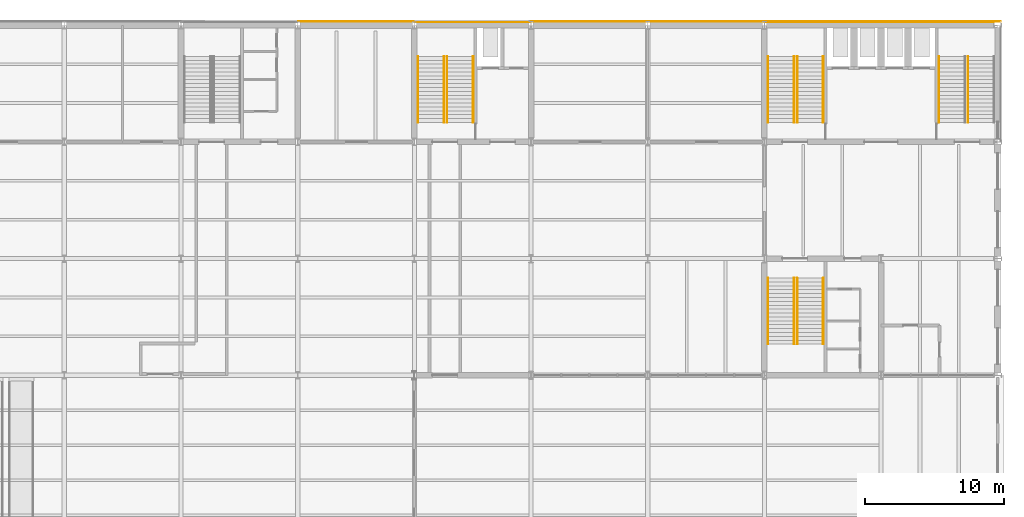
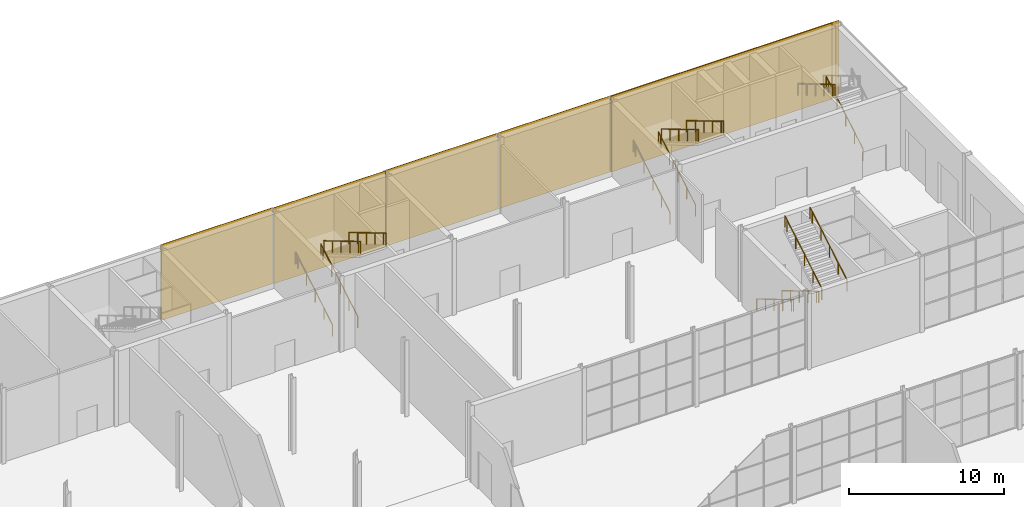
# One storey, part 53 of 55: 14 railings, 6 coverings.
"""IFC4 building model written with IfcOpenShell, lengths in metres."""

from ifc_helpers import new_model, si_unit, direction, frame, origin, origin_2d, place, context, subcontext, project, spatial, rectangle, circle, extrude, material, layer, layer_set, type_object, element, save


model = new_model("IFC4")

# Units and contexts
model_context = context("Model", 3, precision=1e-05, world=origin(), true_north=direction((0.0, 1.0)))
body_context = subcontext(model_context, "Body", "Model", "MODEL_VIEW")
ifc_project = project(units=[si_unit("LENGTHUNIT", "METRE"), si_unit("AREAUNIT", "SQUARE_METRE"), si_unit("VOLUMEUNIT", "CUBIC_METRE"), si_unit("PLANEANGLEUNIT", "RADIAN"), si_unit("MASSUNIT", "GRAM", prefix="KILO")], contexts=[model_context])

# Site, building, storey
site_placement = place(None, origin())
site = spatial("IfcSite", under=ifc_project, at=site_placement, CompositionType="ELEMENT")
building_placement = place(site_placement, origin())
building = spatial("IfcBuilding", under=site, at=building_placement, Name="Galleria Vessillo Department Store", CompositionType="ELEMENT")
storey_placement = place(building_placement, origin())
storey = spatial("IfcBuildingStorey", under=building, at=storey_placement, Name="L00", CompositionType="ELEMENT", Elevation=0.0)

# Coverings
ifc_material_1 = material(Name="Lime plaster (intonaco) ochre")
ifc_layer = layer(ifc_material_1, 0.030029296875)
ifc_layer_set = layer_set([ifc_layer], Name="Lime plaster (intonaco) ochre")
covering_type = type_object("IfcCoveringType", Name="Lime plaster render 30 mm", PredefinedType="CLADDING", material=ifc_layer_set)
covering_1_placement = place(storey_placement, frame((71.39990234375, 63.264892578125, 0.0), z_axis=(0.0, 0.0, 1.0), x_axis=(1.0, 0.0, 0.0)))
element("IfcCovering", 1, at=covering_1_placement, inside=storey, type_object=covering_type, Name="Wall cladding S-PN-L00-06", PredefinedType="CLADDING", context=body_context, shape_type="SweptSolid", body=[
    extrude(rectangle(XDim=8.34033203125, YDim=0.030029296875, at=origin_2d()), origin(), (0.0, 0.0, 1.0), 6.0),
])
covering_2_placement = place(storey_placement, frame((79.798583984375, 63.215087890625, 0.0), z_axis=(0.0, 0.0, 1.0), x_axis=(1.0, 0.0, 0.0)))
element("IfcCovering", 2, at=covering_2_placement, inside=storey, type_object=covering_type, Name="Wall cladding S-CW-PC-NE-PARTY-L00", PredefinedType="CLADDING", context=body_context, shape_type="SweptSolid", body=[
    extrude(rectangle(XDim=8.3369140625, YDim=0.030029296875, at=origin_2d()), origin(), (0.0, 0.0, 1.0), 6.0),
])
covering_3_placement = place(storey_placement, frame((88.199951171875, 63.264892578125, 0.0), z_axis=(0.0, 0.0, 1.0), x_axis=(1.0, 0.0, 0.0)))
element("IfcCovering", 3, at=covering_3_placement, inside=storey, type_object=covering_type, Name="Wall cladding S-PN-L00-07", PredefinedType="CLADDING", context=body_context, shape_type="SweptSolid", body=[
    extrude(rectangle(XDim=8.333740234375, YDim=0.030029296875, at=origin_2d()), origin(), (0.0, 0.0, 1.0), 6.0),
])
covering_4_placement = place(storey_placement, frame((96.60009765625, 63.264892578125, 0.0), z_axis=(0.0, 0.0, 1.0), x_axis=(1.0, 0.0, 0.0)))
element("IfcCovering", 4, at=covering_4_placement, inside=storey, type_object=covering_type, Name="Wall cladding S-PN-L00-08", PredefinedType="CLADDING", context=body_context, shape_type="SweptSolid", body=[
    extrude(rectangle(XDim=8.333984375, YDim=0.030029296875, at=origin_2d()), origin(), (0.0, 0.0, 1.0), 6.0),
])
covering_5_placement = place(storey_placement, frame((109.073486328125, 63.215087890625, 0.0), z_axis=(0.0, 0.0, 1.0), x_axis=(1.0, 0.0, 0.0)))
element("IfcCovering", 5, at=covering_5_placement, inside=storey, type_object=covering_type, Name="Wall cladding S-CW-TC-PARTY-L00", PredefinedType="CLADDING", context=body_context, shape_type="SweptSolid", body=[
    extrude(rectangle(XDim=16.48095703125, YDim=0.030029296875, at=origin_2d()), origin(), (0.0, 0.0, 1.0), 6.0),
])
covering_6_placement = place(storey_placement, frame((109.298583984375, 63.264892578125, 0.0), z_axis=(0.0, 0.0, 1.0), x_axis=(1.0, 0.0, 0.0)))
element("IfcCovering", 6, at=covering_6_placement, inside=storey, type_object=covering_type, Name="Corner cladding L00 y=63 south/north face", PredefinedType="CLADDING", context=body_context, shape_type="SweptSolid", body=[
    extrude(rectangle(XDim=17.06298828125, YDim=0.030029296875, at=origin_2d()), origin(), (0.0, 0.0, 1.0), 6.0),
])

# Railings
ifc_material_2 = material(Name="Stainless steel tube", Category="steel")
railing_type = type_object("IfcRailingType", Name="Stair handrail steel tube 48 mm", PredefinedType="HANDRAIL", material=ifc_material_2)
railing_1_placement = place(storey_placement, frame((75.860107421875, 56.0, 0.166748046875)))
element("IfcRailing", 7, at=railing_1_placement, inside=storey, type_object=railing_type, Name="Handrail ST6 L00 flight 1A", PredefinedType="HANDRAIL", context=body_context, shape_type="SweptSolid", body=[
    extrude(circle(Radius=0.02392578125, at=origin_2d()), frame((0.0, 0.0, 0.89599609375), z_axis=(0.0, 0.859371278866, 0.511352134112), x_axis=(-1.0, 0.0, 0.0)), (0.0, 0.0, 1.0), 1.303466796875),
    extrude(circle(Radius=0.02392578125, at=origin_2d()), frame((0.0, 1.1201171875, 1.5625), z_axis=(0.0, 0.859239953289, 0.511572773584), x_axis=(-1.0, 0.0, 0.0)), (0.0, 0.0, 1.0), 1.30322265625),
    extrude(circle(Radius=0.02392578125, at=origin_2d()), frame((0.0, 2.239990234375, 2.22900390625), z_axis=(0.0, 0.859288964532, 0.511490445104), x_axis=(-1.0, 0.0, 0.0)), (0.0, 0.0, 1.0), 1.303466796875),
    extrude(circle(Radius=0.02392578125, at=origin_2d()), frame((0.0, 3.360107421875, 2.89599609375), z_axis=(0.0, 0.85932228943, 0.511434456103), x_axis=(-1.0, 0.0, 0.0)), (0.0, 0.0, 1.0), 1.30322265625),
    extrude(circle(Radius=0.02392578125, at=origin_2d()), frame((0.0, 4.47998046875, 3.5625), z_axis=(0.0, 0.859206643714, 0.511628716353), x_axis=(-1.0, 0.0, 0.0)), (0.0, 0.0, 1.0), 0.325927734375),
    extrude(circle(Radius=0.02099609375, at=origin_2d()), origin(), (0.0, 0.0, 1.0), 0.871826171875),
    extrude(circle(Radius=0.02099609375, at=origin_2d()), frame((0.0, 1.1201171875, 0.66650390625)), (0.0, 0.0, 1.0), 0.871826171875),
    extrude(circle(Radius=0.02099609375, at=origin_2d()), frame((0.0, 2.239990234375, 1.333251953125)), (0.0, 0.0, 1.0), 0.871826171875),
    extrude(circle(Radius=0.02099609375, at=origin_2d()), frame((0.0, 3.360107421875, 2.0)), (0.0, 0.0, 1.0), 0.871826171875),
    extrude(circle(Radius=0.02099609375, at=origin_2d()), frame((0.0, 4.47998046875, 2.66650390625)), (0.0, 0.0, 1.0), 0.871826171875),
    extrude(circle(Radius=0.02099609375, at=origin_2d()), frame((0.0, 4.760009765625, 2.833251953125)), (0.0, 0.0, 1.0), 0.871826171875),
])
railing_2_placement = place(storey_placement, frame((77.739990234375, 56.0, 0.166748046875)))
element("IfcRailing", 8, at=railing_2_placement, inside=storey, type_object=railing_type, Name="Handrail ST6 L00 flight 1B", PredefinedType="HANDRAIL", context=body_context, shape_type="SweptSolid", body=[
    extrude(circle(Radius=0.02392578125, at=origin_2d()), frame((0.0, 0.0, 0.89599609375), z_axis=(0.0, 0.859371278866, 0.511352134112), x_axis=(-1.0, 0.0, 0.0)), (0.0, 0.0, 1.0), 1.303466796875),
    extrude(circle(Radius=0.02392578125, at=origin_2d()), frame((0.0, 1.1201171875, 1.5625), z_axis=(0.0, 0.859239953289, 0.511572773584), x_axis=(-1.0, 0.0, 0.0)), (0.0, 0.0, 1.0), 1.30322265625),
    extrude(circle(Radius=0.02392578125, at=origin_2d()), frame((0.0, 2.239990234375, 2.22900390625), z_axis=(0.0, 0.859288964532, 0.511490445104), x_axis=(-1.0, 0.0, 0.0)), (0.0, 0.0, 1.0), 1.303466796875),
    extrude(circle(Radius=0.02392578125, at=origin_2d()), frame((0.0, 3.360107421875, 2.89599609375), z_axis=(0.0, 0.85932228943, 0.511434456103), x_axis=(-1.0, 0.0, 0.0)), (0.0, 0.0, 1.0), 1.30322265625),
    extrude(circle(Radius=0.02392578125, at=origin_2d()), frame((0.0, 4.47998046875, 3.5625), z_axis=(0.0, 0.859206643714, 0.511628716353), x_axis=(-1.0, 0.0, 0.0)), (0.0, 0.0, 1.0), 0.325927734375),
    extrude(circle(Radius=0.02099609375, at=origin_2d()), origin(), (0.0, 0.0, 1.0), 0.871826171875),
    extrude(circle(Radius=0.02099609375, at=origin_2d()), frame((0.0, 1.1201171875, 0.66650390625)), (0.0, 0.0, 1.0), 0.871826171875),
    extrude(circle(Radius=0.02099609375, at=origin_2d()), frame((0.0, 2.239990234375, 1.333251953125)), (0.0, 0.0, 1.0), 0.871826171875),
    extrude(circle(Radius=0.02099609375, at=origin_2d()), frame((0.0, 3.360107421875, 2.0)), (0.0, 0.0, 1.0), 0.871826171875),
    extrude(circle(Radius=0.02099609375, at=origin_2d()), frame((0.0, 4.47998046875, 2.66650390625)), (0.0, 0.0, 1.0), 0.871826171875),
    extrude(circle(Radius=0.02099609375, at=origin_2d()), frame((0.0, 4.760009765625, 2.833251953125)), (0.0, 0.0, 1.0), 0.871826171875),
])
railing_3_placement = place(storey_placement, frame((79.83984375, 60.760009765625, 3.166748046875)))
element("IfcRailing", 9, at=railing_3_placement, inside=storey, type_object=railing_type, Name="Handrail ST6 L00 flight 2A", PredefinedType="HANDRAIL", context=body_context, shape_type="SweptSolid", body=[
    extrude(circle(Radius=0.02392578125, at=origin_2d()), frame((0.0, 0.0, 0.89599609375), z_axis=(0.0, -0.859371278866, 0.511352134112), x_axis=(1.0, 0.0, 0.0)), (0.0, 0.0, 1.0), 1.303466796875),
    extrude(circle(Radius=0.02392578125, at=origin_2d()), frame((0.0, -1.1201171875, 1.5625), z_axis=(0.0, -0.859239953289, 0.511572773584), x_axis=(1.0, 0.0, 0.0)), (0.0, 0.0, 1.0), 1.30322265625),
    extrude(circle(Radius=0.02392578125, at=origin_2d()), frame((0.0, -2.239990234375, 2.22900390625), z_axis=(0.0, -0.859288964532, 0.511490445104), x_axis=(1.0, 0.0, 0.0)), (0.0, 0.0, 1.0), 1.303466796875),
    extrude(circle(Radius=0.02392578125, at=origin_2d()), frame((0.0, -3.360107421875, 2.89599609375), z_axis=(0.0, -0.85932228943, 0.511434456103), x_axis=(1.0, 0.0, 0.0)), (0.0, 0.0, 1.0), 1.30322265625),
    extrude(circle(Radius=0.02392578125, at=origin_2d()), frame((0.0, -4.47998046875, 3.5625), z_axis=(0.0, -0.859206643714, 0.511628716353), x_axis=(1.0, 0.0, 0.0)), (0.0, 0.0, 1.0), 0.325927734375),
    extrude(circle(Radius=0.02099609375, at=origin_2d()), origin(), (0.0, 0.0, 1.0), 0.871826171875),
    extrude(circle(Radius=0.02099609375, at=origin_2d()), frame((0.0, -1.1201171875, 0.66650390625)), (0.0, 0.0, 1.0), 0.871826171875),
    extrude(circle(Radius=0.02099609375, at=origin_2d()), frame((0.0, -2.239990234375, 1.333251953125)), (0.0, 0.0, 1.0), 0.871826171875),
    extrude(circle(Radius=0.02099609375, at=origin_2d()), frame((0.0, -3.360107421875, 2.0)), (0.0, 0.0, 1.0), 0.871826171875),
    extrude(circle(Radius=0.02099609375, at=origin_2d()), frame((0.0, -4.47998046875, 2.66650390625)), (0.0, 0.0, 1.0), 0.871826171875),
    extrude(circle(Radius=0.02099609375, at=origin_2d()), frame((0.0, -4.760009765625, 2.833251953125)), (0.0, 0.0, 1.0), 0.871826171875),
])
railing_4_placement = place(storey_placement, frame((77.9599609375, 60.760009765625, 3.166748046875)))
element("IfcRailing", 10, at=railing_4_placement, inside=storey, type_object=railing_type, Name="Handrail ST6 L00 flight 2B", PredefinedType="HANDRAIL", context=body_context, shape_type="SweptSolid", body=[
    extrude(circle(Radius=0.02392578125, at=origin_2d()), frame((0.0, 0.0, 0.89599609375), z_axis=(0.0, -0.859371278866, 0.511352134112), x_axis=(1.0, 0.0, 0.0)), (0.0, 0.0, 1.0), 1.303466796875),
    extrude(circle(Radius=0.02392578125, at=origin_2d()), frame((0.0, -1.1201171875, 1.5625), z_axis=(0.0, -0.859239953289, 0.511572773584), x_axis=(1.0, 0.0, 0.0)), (0.0, 0.0, 1.0), 1.30322265625),
    extrude(circle(Radius=0.02392578125, at=origin_2d()), frame((0.0, -2.239990234375, 2.22900390625), z_axis=(0.0, -0.859288964532, 0.511490445104), x_axis=(1.0, 0.0, 0.0)), (0.0, 0.0, 1.0), 1.303466796875),
    extrude(circle(Radius=0.02392578125, at=origin_2d()), frame((0.0, -3.360107421875, 2.89599609375), z_axis=(0.0, -0.85932228943, 0.511434456103), x_axis=(1.0, 0.0, 0.0)), (0.0, 0.0, 1.0), 1.30322265625),
    extrude(circle(Radius=0.02392578125, at=origin_2d()), frame((0.0, -4.47998046875, 3.5625), z_axis=(0.0, -0.859206643714, 0.511628716353), x_axis=(1.0, 0.0, 0.0)), (0.0, 0.0, 1.0), 0.325927734375),
    extrude(circle(Radius=0.02099609375, at=origin_2d()), origin(), (0.0, 0.0, 1.0), 0.871826171875),
    extrude(circle(Radius=0.02099609375, at=origin_2d()), frame((0.0, -1.1201171875, 0.66650390625)), (0.0, 0.0, 1.0), 0.871826171875),
    extrude(circle(Radius=0.02099609375, at=origin_2d()), frame((0.0, -2.239990234375, 1.333251953125)), (0.0, 0.0, 1.0), 0.871826171875),
    extrude(circle(Radius=0.02099609375, at=origin_2d()), frame((0.0, -3.360107421875, 2.0)), (0.0, 0.0, 1.0), 0.871826171875),
    extrude(circle(Radius=0.02099609375, at=origin_2d()), frame((0.0, -4.47998046875, 2.66650390625)), (0.0, 0.0, 1.0), 0.871826171875),
    extrude(circle(Radius=0.02099609375, at=origin_2d()), frame((0.0, -4.760009765625, 2.833251953125)), (0.0, 0.0, 1.0), 0.871826171875),
])
railing_5_placement = place(storey_placement, frame((101.06005859375, 56.0, 0.166748046875)))
element("IfcRailing", 11, at=railing_5_placement, inside=storey, type_object=railing_type, Name="Handrail ST8 L00 flight 1A", PredefinedType="HANDRAIL", context=body_context, shape_type="SweptSolid", body=[
    extrude(circle(Radius=0.02392578125, at=origin_2d()), frame((0.0, 0.0, 0.89599609375), z_axis=(0.0, 0.859371278866, 0.511352134112), x_axis=(-1.0, 0.0, 0.0)), (0.0, 0.0, 1.0), 1.303466796875),
    extrude(circle(Radius=0.02392578125, at=origin_2d()), frame((0.0, 1.1201171875, 1.5625), z_axis=(0.0, 0.859239953289, 0.511572773584), x_axis=(-1.0, 0.0, 0.0)), (0.0, 0.0, 1.0), 1.30322265625),
    extrude(circle(Radius=0.02392578125, at=origin_2d()), frame((0.0, 2.239990234375, 2.22900390625), z_axis=(0.0, 0.859288964532, 0.511490445104), x_axis=(-1.0, 0.0, 0.0)), (0.0, 0.0, 1.0), 1.303466796875),
    extrude(circle(Radius=0.02392578125, at=origin_2d()), frame((0.0, 3.360107421875, 2.89599609375), z_axis=(0.0, 0.85932228943, 0.511434456103), x_axis=(-1.0, 0.0, 0.0)), (0.0, 0.0, 1.0), 1.30322265625),
    extrude(circle(Radius=0.02392578125, at=origin_2d()), frame((0.0, 4.47998046875, 3.5625), z_axis=(0.0, 0.859206643714, 0.511628716353), x_axis=(-1.0, 0.0, 0.0)), (0.0, 0.0, 1.0), 0.325927734375),
    extrude(circle(Radius=0.02099609375, at=origin_2d()), origin(), (0.0, 0.0, 1.0), 0.871826171875),
    extrude(circle(Radius=0.02099609375, at=origin_2d()), frame((0.0, 1.1201171875, 0.66650390625)), (0.0, 0.0, 1.0), 0.871826171875),
    extrude(circle(Radius=0.02099609375, at=origin_2d()), frame((0.0, 2.239990234375, 1.333251953125)), (0.0, 0.0, 1.0), 0.871826171875),
    extrude(circle(Radius=0.02099609375, at=origin_2d()), frame((0.0, 3.360107421875, 2.0)), (0.0, 0.0, 1.0), 0.871826171875),
    extrude(circle(Radius=0.02099609375, at=origin_2d()), frame((0.0, 4.47998046875, 2.66650390625)), (0.0, 0.0, 1.0), 0.871826171875),
    extrude(circle(Radius=0.02099609375, at=origin_2d()), frame((0.0, 4.760009765625, 2.833251953125)), (0.0, 0.0, 1.0), 0.871826171875),
])
railing_6_placement = place(storey_placement, frame((102.93994140625, 56.0, 0.166748046875)))
element("IfcRailing", 12, at=railing_6_placement, inside=storey, type_object=railing_type, Name="Handrail ST8 L00 flight 1B", PredefinedType="HANDRAIL", context=body_context, shape_type="SweptSolid", body=[
    extrude(circle(Radius=0.02392578125, at=origin_2d()), frame((0.0, 0.0, 0.89599609375), z_axis=(0.0, 0.859371278866, 0.511352134112), x_axis=(-1.0, 0.0, 0.0)), (0.0, 0.0, 1.0), 1.303466796875),
    extrude(circle(Radius=0.02392578125, at=origin_2d()), frame((0.0, 1.1201171875, 1.5625), z_axis=(0.0, 0.859239953289, 0.511572773584), x_axis=(-1.0, 0.0, 0.0)), (0.0, 0.0, 1.0), 1.30322265625),
    extrude(circle(Radius=0.02392578125, at=origin_2d()), frame((0.0, 2.239990234375, 2.22900390625), z_axis=(0.0, 0.859288964532, 0.511490445104), x_axis=(-1.0, 0.0, 0.0)), (0.0, 0.0, 1.0), 1.303466796875),
    extrude(circle(Radius=0.02392578125, at=origin_2d()), frame((0.0, 3.360107421875, 2.89599609375), z_axis=(0.0, 0.85932228943, 0.511434456103), x_axis=(-1.0, 0.0, 0.0)), (0.0, 0.0, 1.0), 1.30322265625),
    extrude(circle(Radius=0.02392578125, at=origin_2d()), frame((0.0, 4.47998046875, 3.5625), z_axis=(0.0, 0.859206643714, 0.511628716353), x_axis=(-1.0, 0.0, 0.0)), (0.0, 0.0, 1.0), 0.325927734375),
    extrude(circle(Radius=0.02099609375, at=origin_2d()), origin(), (0.0, 0.0, 1.0), 0.871826171875),
    extrude(circle(Radius=0.02099609375, at=origin_2d()), frame((0.0, 1.1201171875, 0.66650390625)), (0.0, 0.0, 1.0), 0.871826171875),
    extrude(circle(Radius=0.02099609375, at=origin_2d()), frame((0.0, 2.239990234375, 1.333251953125)), (0.0, 0.0, 1.0), 0.871826171875),
    extrude(circle(Radius=0.02099609375, at=origin_2d()), frame((0.0, 3.360107421875, 2.0)), (0.0, 0.0, 1.0), 0.871826171875),
    extrude(circle(Radius=0.02099609375, at=origin_2d()), frame((0.0, 4.47998046875, 2.66650390625)), (0.0, 0.0, 1.0), 0.871826171875),
    extrude(circle(Radius=0.02099609375, at=origin_2d()), frame((0.0, 4.760009765625, 2.833251953125)), (0.0, 0.0, 1.0), 0.871826171875),
])
railing_7_placement = place(storey_placement, frame((105.0400390625, 60.760009765625, 3.166748046875)))
element("IfcRailing", 13, at=railing_7_placement, inside=storey, type_object=railing_type, Name="Handrail ST8 L00 flight 2A", PredefinedType="HANDRAIL", context=body_context, shape_type="SweptSolid", body=[
    extrude(circle(Radius=0.02392578125, at=origin_2d()), frame((0.0, 0.0, 0.89599609375), z_axis=(0.0, -0.859371278866, 0.511352134112), x_axis=(1.0, 0.0, 0.0)), (0.0, 0.0, 1.0), 1.303466796875),
    extrude(circle(Radius=0.02392578125, at=origin_2d()), frame((0.0, -1.1201171875, 1.5625), z_axis=(0.0, -0.859239953289, 0.511572773584), x_axis=(1.0, 0.0, 0.0)), (0.0, 0.0, 1.0), 1.30322265625),
    extrude(circle(Radius=0.02392578125, at=origin_2d()), frame((0.0, -2.239990234375, 2.22900390625), z_axis=(0.0, -0.859288964532, 0.511490445104), x_axis=(1.0, 0.0, 0.0)), (0.0, 0.0, 1.0), 1.303466796875),
    extrude(circle(Radius=0.02392578125, at=origin_2d()), frame((0.0, -3.360107421875, 2.89599609375), z_axis=(0.0, -0.85932228943, 0.511434456103), x_axis=(1.0, 0.0, 0.0)), (0.0, 0.0, 1.0), 1.30322265625),
    extrude(circle(Radius=0.02392578125, at=origin_2d()), frame((0.0, -4.47998046875, 3.5625), z_axis=(0.0, -0.859206643714, 0.511628716353), x_axis=(1.0, 0.0, 0.0)), (0.0, 0.0, 1.0), 0.325927734375),
    extrude(circle(Radius=0.02099609375, at=origin_2d()), origin(), (0.0, 0.0, 1.0), 0.871826171875),
    extrude(circle(Radius=0.02099609375, at=origin_2d()), frame((0.0, -1.1201171875, 0.66650390625)), (0.0, 0.0, 1.0), 0.871826171875),
    extrude(circle(Radius=0.02099609375, at=origin_2d()), frame((0.0, -2.239990234375, 1.333251953125)), (0.0, 0.0, 1.0), 0.871826171875),
    extrude(circle(Radius=0.02099609375, at=origin_2d()), frame((0.0, -3.360107421875, 2.0)), (0.0, 0.0, 1.0), 0.871826171875),
    extrude(circle(Radius=0.02099609375, at=origin_2d()), frame((0.0, -4.47998046875, 2.66650390625)), (0.0, 0.0, 1.0), 0.871826171875),
    extrude(circle(Radius=0.02099609375, at=origin_2d()), frame((0.0, -4.760009765625, 2.833251953125)), (0.0, 0.0, 1.0), 0.871826171875),
])
railing_8_placement = place(storey_placement, frame((103.16015625, 60.760009765625, 3.166748046875)))
element("IfcRailing", 14, at=railing_8_placement, inside=storey, type_object=railing_type, Name="Handrail ST8 L00 flight 2B", PredefinedType="HANDRAIL", context=body_context, shape_type="SweptSolid", body=[
    extrude(circle(Radius=0.02392578125, at=origin_2d()), frame((0.0, 0.0, 0.89599609375), z_axis=(0.0, -0.859371278866, 0.511352134112), x_axis=(1.0, 0.0, 0.0)), (0.0, 0.0, 1.0), 1.303466796875),
    extrude(circle(Radius=0.02392578125, at=origin_2d()), frame((0.0, -1.1201171875, 1.5625), z_axis=(0.0, -0.859239953289, 0.511572773584), x_axis=(1.0, 0.0, 0.0)), (0.0, 0.0, 1.0), 1.30322265625),
    extrude(circle(Radius=0.02392578125, at=origin_2d()), frame((0.0, -2.239990234375, 2.22900390625), z_axis=(0.0, -0.859288964532, 0.511490445104), x_axis=(1.0, 0.0, 0.0)), (0.0, 0.0, 1.0), 1.303466796875),
    extrude(circle(Radius=0.02392578125, at=origin_2d()), frame((0.0, -3.360107421875, 2.89599609375), z_axis=(0.0, -0.85932228943, 0.511434456103), x_axis=(1.0, 0.0, 0.0)), (0.0, 0.0, 1.0), 1.30322265625),
    extrude(circle(Radius=0.02392578125, at=origin_2d()), frame((0.0, -4.47998046875, 3.5625), z_axis=(0.0, -0.859206643714, 0.511628716353), x_axis=(1.0, 0.0, 0.0)), (0.0, 0.0, 1.0), 0.325927734375),
    extrude(circle(Radius=0.02099609375, at=origin_2d()), origin(), (0.0, 0.0, 1.0), 0.871826171875),
    extrude(circle(Radius=0.02099609375, at=origin_2d()), frame((0.0, -1.1201171875, 0.66650390625)), (0.0, 0.0, 1.0), 0.871826171875),
    extrude(circle(Radius=0.02099609375, at=origin_2d()), frame((0.0, -2.239990234375, 1.333251953125)), (0.0, 0.0, 1.0), 0.871826171875),
    extrude(circle(Radius=0.02099609375, at=origin_2d()), frame((0.0, -3.360107421875, 2.0)), (0.0, 0.0, 1.0), 0.871826171875),
    extrude(circle(Radius=0.02099609375, at=origin_2d()), frame((0.0, -4.47998046875, 2.66650390625)), (0.0, 0.0, 1.0), 0.871826171875),
    extrude(circle(Radius=0.02099609375, at=origin_2d()), frame((0.0, -4.760009765625, 2.833251953125)), (0.0, 0.0, 1.0), 0.871826171875),
])
railing_9_placement = place(storey_placement, frame((115.4599609375, 56.0, 0.166748046875)))
element("IfcRailing", 15, at=railing_9_placement, inside=storey, type_object=railing_type, Name="Handrail ST9 L00 flight 1A", PredefinedType="HANDRAIL", context=body_context, shape_type="SweptSolid", body=[
    extrude(circle(Radius=0.02392578125, at=origin_2d()), frame((0.0, 0.0, 0.89599609375), z_axis=(0.0, 0.859371278866, 0.511352134112), x_axis=(-1.0, 0.0, 0.0)), (0.0, 0.0, 1.0), 1.303466796875),
    extrude(circle(Radius=0.02392578125, at=origin_2d()), frame((0.0, 1.1201171875, 1.5625), z_axis=(0.0, 0.859239953289, 0.511572773584), x_axis=(-1.0, 0.0, 0.0)), (0.0, 0.0, 1.0), 1.30322265625),
    extrude(circle(Radius=0.02392578125, at=origin_2d()), frame((0.0, 2.239990234375, 2.22900390625), z_axis=(0.0, 0.859288964532, 0.511490445104), x_axis=(-1.0, 0.0, 0.0)), (0.0, 0.0, 1.0), 1.303466796875),
    extrude(circle(Radius=0.02392578125, at=origin_2d()), frame((0.0, 3.360107421875, 2.89599609375), z_axis=(0.0, 0.85932228943, 0.511434456103), x_axis=(-1.0, 0.0, 0.0)), (0.0, 0.0, 1.0), 1.30322265625),
    extrude(circle(Radius=0.02392578125, at=origin_2d()), frame((0.0, 4.47998046875, 3.5625), z_axis=(0.0, 0.859206643714, 0.511628716353), x_axis=(-1.0, 0.0, 0.0)), (0.0, 0.0, 1.0), 0.325927734375),
    extrude(circle(Radius=0.02099609375, at=origin_2d()), origin(), (0.0, 0.0, 1.0), 0.871826171875),
    extrude(circle(Radius=0.02099609375, at=origin_2d()), frame((0.0, 1.1201171875, 0.66650390625)), (0.0, 0.0, 1.0), 0.871826171875),
    extrude(circle(Radius=0.02099609375, at=origin_2d()), frame((0.0, 2.239990234375, 1.333251953125)), (0.0, 0.0, 1.0), 0.871826171875),
    extrude(circle(Radius=0.02099609375, at=origin_2d()), frame((0.0, 3.360107421875, 2.0)), (0.0, 0.0, 1.0), 0.871826171875),
    extrude(circle(Radius=0.02099609375, at=origin_2d()), frame((0.0, 4.47998046875, 2.66650390625)), (0.0, 0.0, 1.0), 0.871826171875),
    extrude(circle(Radius=0.02099609375, at=origin_2d()), frame((0.0, 4.760009765625, 2.833251953125)), (0.0, 0.0, 1.0), 0.871826171875),
])
railing_10_placement = place(storey_placement, frame((113.360107421875, 60.760009765625, 3.166748046875)))
element("IfcRailing", 16, at=railing_10_placement, inside=storey, type_object=railing_type, Name="Handrail ST9 L00 flight 2B", PredefinedType="HANDRAIL", context=body_context, shape_type="SweptSolid", body=[
    extrude(circle(Radius=0.02392578125, at=origin_2d()), frame((0.0, 0.0, 0.89599609375), z_axis=(0.0, -0.859371278866, 0.511352134112), x_axis=(1.0, 0.0, 0.0)), (0.0, 0.0, 1.0), 1.303466796875),
    extrude(circle(Radius=0.02392578125, at=origin_2d()), frame((0.0, -1.1201171875, 1.5625), z_axis=(0.0, -0.859239953289, 0.511572773584), x_axis=(1.0, 0.0, 0.0)), (0.0, 0.0, 1.0), 1.30322265625),
    extrude(circle(Radius=0.02392578125, at=origin_2d()), frame((0.0, -2.239990234375, 2.22900390625), z_axis=(0.0, -0.859288964532, 0.511490445104), x_axis=(1.0, 0.0, 0.0)), (0.0, 0.0, 1.0), 1.303466796875),
    extrude(circle(Radius=0.02392578125, at=origin_2d()), frame((0.0, -3.360107421875, 2.89599609375), z_axis=(0.0, -0.85932228943, 0.511434456103), x_axis=(1.0, 0.0, 0.0)), (0.0, 0.0, 1.0), 1.30322265625),
    extrude(circle(Radius=0.02392578125, at=origin_2d()), frame((0.0, -4.47998046875, 3.5625), z_axis=(0.0, -0.859206643714, 0.511628716353), x_axis=(1.0, 0.0, 0.0)), (0.0, 0.0, 1.0), 0.325927734375),
    extrude(circle(Radius=0.02099609375, at=origin_2d()), origin(), (0.0, 0.0, 1.0), 0.871826171875),
    extrude(circle(Radius=0.02099609375, at=origin_2d()), frame((0.0, -1.1201171875, 0.66650390625)), (0.0, 0.0, 1.0), 0.871826171875),
    extrude(circle(Radius=0.02099609375, at=origin_2d()), frame((0.0, -2.239990234375, 1.333251953125)), (0.0, 0.0, 1.0), 0.871826171875),
    extrude(circle(Radius=0.02099609375, at=origin_2d()), frame((0.0, -3.360107421875, 2.0)), (0.0, 0.0, 1.0), 0.871826171875),
    extrude(circle(Radius=0.02099609375, at=origin_2d()), frame((0.0, -4.47998046875, 2.66650390625)), (0.0, 0.0, 1.0), 0.871826171875),
    extrude(circle(Radius=0.02099609375, at=origin_2d()), frame((0.0, -4.760009765625, 2.833251953125)), (0.0, 0.0, 1.0), 0.871826171875),
])
railing_11_placement = place(storey_placement, frame((102.93994140625, 44.800048828125, 0.166748046875)))
element("IfcRailing", 17, at=railing_11_placement, inside=storey, type_object=railing_type, Name="Handrail ST12 L00 flight 1A", PredefinedType="HANDRAIL", context=body_context, shape_type="SweptSolid", body=[
    extrude(circle(Radius=0.02392578125, at=origin_2d()), frame((0.0, 0.0, 0.89599609375), z_axis=(0.0, -0.859371278866, 0.511352134112), x_axis=(1.0, 0.0, 0.0)), (0.0, 0.0, 1.0), 1.303466796875),
    extrude(circle(Radius=0.02392578125, at=origin_2d()), frame((0.0, -1.1201171875, 1.5625), z_axis=(0.0, -0.859239953289, 0.511572773584), x_axis=(1.0, 0.0, 0.0)), (0.0, 0.0, 1.0), 1.30322265625),
    extrude(circle(Radius=0.02392578125, at=origin_2d()), frame((0.0, -2.239990234375, 2.22900390625), z_axis=(0.0, -0.859288964532, 0.511490445104), x_axis=(1.0, 0.0, 0.0)), (0.0, 0.0, 1.0), 1.303466796875),
    extrude(circle(Radius=0.02392578125, at=origin_2d()), frame((0.0, -3.360107421875, 2.89599609375), z_axis=(0.0, -0.85932228943, 0.511434456103), x_axis=(1.0, 0.0, 0.0)), (0.0, 0.0, 1.0), 1.30322265625),
    extrude(circle(Radius=0.02392578125, at=origin_2d()), frame((0.0, -4.47998046875, 3.5625), z_axis=(0.0, -0.859206643714, 0.511628716353), x_axis=(1.0, 0.0, 0.0)), (0.0, 0.0, 1.0), 0.325927734375),
    extrude(circle(Radius=0.02099609375, at=origin_2d()), origin(), (0.0, 0.0, 1.0), 0.871826171875),
    extrude(circle(Radius=0.02099609375, at=origin_2d()), frame((0.0, -1.1201171875, 0.66650390625)), (0.0, 0.0, 1.0), 0.871826171875),
    extrude(circle(Radius=0.02099609375, at=origin_2d()), frame((0.0, -2.239990234375, 1.333251953125)), (0.0, 0.0, 1.0), 0.871826171875),
    extrude(circle(Radius=0.02099609375, at=origin_2d()), frame((0.0, -3.360107421875, 2.0)), (0.0, 0.0, 1.0), 0.871826171875),
    extrude(circle(Radius=0.02099609375, at=origin_2d()), frame((0.0, -4.47998046875, 2.66650390625)), (0.0, 0.0, 1.0), 0.871826171875),
    extrude(circle(Radius=0.02099609375, at=origin_2d()), frame((0.0, -4.760009765625, 2.833251953125)), (0.0, 0.0, 1.0), 0.871826171875),
])
railing_12_placement = place(storey_placement, frame((101.06005859375, 44.800048828125, 0.166748046875)))
element("IfcRailing", 18, at=railing_12_placement, inside=storey, type_object=railing_type, Name="Handrail ST12 L00 flight 1B", PredefinedType="HANDRAIL", context=body_context, shape_type="SweptSolid", body=[
    extrude(circle(Radius=0.02392578125, at=origin_2d()), frame((0.0, 0.0, 0.89599609375), z_axis=(0.0, -0.859371278866, 0.511352134112), x_axis=(1.0, 0.0, 0.0)), (0.0, 0.0, 1.0), 1.303466796875),
    extrude(circle(Radius=0.02392578125, at=origin_2d()), frame((0.0, -1.1201171875, 1.5625), z_axis=(0.0, -0.859239953289, 0.511572773584), x_axis=(1.0, 0.0, 0.0)), (0.0, 0.0, 1.0), 1.30322265625),
    extrude(circle(Radius=0.02392578125, at=origin_2d()), frame((0.0, -2.239990234375, 2.22900390625), z_axis=(0.0, -0.859288964532, 0.511490445104), x_axis=(1.0, 0.0, 0.0)), (0.0, 0.0, 1.0), 1.303466796875),
    extrude(circle(Radius=0.02392578125, at=origin_2d()), frame((0.0, -3.360107421875, 2.89599609375), z_axis=(0.0, -0.85932228943, 0.511434456103), x_axis=(1.0, 0.0, 0.0)), (0.0, 0.0, 1.0), 1.30322265625),
    extrude(circle(Radius=0.02392578125, at=origin_2d()), frame((0.0, -4.47998046875, 3.5625), z_axis=(0.0, -0.859206643714, 0.511628716353), x_axis=(1.0, 0.0, 0.0)), (0.0, 0.0, 1.0), 0.325927734375),
    extrude(circle(Radius=0.02099609375, at=origin_2d()), origin(), (0.0, 0.0, 1.0), 0.871826171875),
    extrude(circle(Radius=0.02099609375, at=origin_2d()), frame((0.0, -1.1201171875, 0.66650390625)), (0.0, 0.0, 1.0), 0.871826171875),
    extrude(circle(Radius=0.02099609375, at=origin_2d()), frame((0.0, -2.239990234375, 1.333251953125)), (0.0, 0.0, 1.0), 0.871826171875),
    extrude(circle(Radius=0.02099609375, at=origin_2d()), frame((0.0, -3.360107421875, 2.0)), (0.0, 0.0, 1.0), 0.871826171875),
    extrude(circle(Radius=0.02099609375, at=origin_2d()), frame((0.0, -4.47998046875, 2.66650390625)), (0.0, 0.0, 1.0), 0.871826171875),
    extrude(circle(Radius=0.02099609375, at=origin_2d()), frame((0.0, -4.760009765625, 2.833251953125)), (0.0, 0.0, 1.0), 0.871826171875),
])
railing_13_placement = place(storey_placement, frame((103.16015625, 40.0400390625, 3.166748046875)))
element("IfcRailing", 19, at=railing_13_placement, inside=storey, type_object=railing_type, Name="Handrail ST12 L00 flight 2A", PredefinedType="HANDRAIL", context=body_context, shape_type="SweptSolid", body=[
    extrude(circle(Radius=0.02392578125, at=origin_2d()), frame((0.0, 0.0, 0.89599609375), z_axis=(0.0, 0.859371278866, 0.511352134112), x_axis=(-1.0, 0.0, 0.0)), (0.0, 0.0, 1.0), 1.303466796875),
    extrude(circle(Radius=0.02392578125, at=origin_2d()), frame((0.0, 1.1201171875, 1.5625), z_axis=(0.0, 0.859239953289, 0.511572773584), x_axis=(-1.0, 0.0, 0.0)), (0.0, 0.0, 1.0), 1.30322265625),
    extrude(circle(Radius=0.02392578125, at=origin_2d()), frame((0.0, 2.239990234375, 2.22900390625), z_axis=(0.0, 0.859288964532, 0.511490445104), x_axis=(-1.0, 0.0, 0.0)), (0.0, 0.0, 1.0), 1.303466796875),
    extrude(circle(Radius=0.02392578125, at=origin_2d()), frame((0.0, 3.360107421875, 2.89599609375), z_axis=(0.0, 0.85932228943, 0.511434456103), x_axis=(-1.0, 0.0, 0.0)), (0.0, 0.0, 1.0), 1.30322265625),
    extrude(circle(Radius=0.02392578125, at=origin_2d()), frame((0.0, 4.47998046875, 3.5625), z_axis=(0.0, 0.859206643714, 0.511628716353), x_axis=(-1.0, 0.0, 0.0)), (0.0, 0.0, 1.0), 0.325927734375),
    extrude(circle(Radius=0.02099609375, at=origin_2d()), origin(), (0.0, 0.0, 1.0), 0.871826171875),
    extrude(circle(Radius=0.02099609375, at=origin_2d()), frame((0.0, 1.1201171875, 0.66650390625)), (0.0, 0.0, 1.0), 0.871826171875),
    extrude(circle(Radius=0.02099609375, at=origin_2d()), frame((0.0, 2.239990234375, 1.333251953125)), (0.0, 0.0, 1.0), 0.871826171875),
    extrude(circle(Radius=0.02099609375, at=origin_2d()), frame((0.0, 3.360107421875, 2.0)), (0.0, 0.0, 1.0), 0.871826171875),
    extrude(circle(Radius=0.02099609375, at=origin_2d()), frame((0.0, 4.47998046875, 2.66650390625)), (0.0, 0.0, 1.0), 0.871826171875),
    extrude(circle(Radius=0.02099609375, at=origin_2d()), frame((0.0, 4.760009765625, 2.833251953125)), (0.0, 0.0, 1.0), 0.871826171875),
])
railing_14_placement = place(storey_placement, frame((105.0400390625, 40.0400390625, 3.166748046875)))
element("IfcRailing", 20, at=railing_14_placement, inside=storey, type_object=railing_type, Name="Handrail ST12 L00 flight 2B", PredefinedType="HANDRAIL", context=body_context, shape_type="SweptSolid", body=[
    extrude(circle(Radius=0.02392578125, at=origin_2d()), frame((0.0, 0.0, 0.89599609375), z_axis=(0.0, 0.859371278866, 0.511352134112), x_axis=(-1.0, 0.0, 0.0)), (0.0, 0.0, 1.0), 1.303466796875),
    extrude(circle(Radius=0.02392578125, at=origin_2d()), frame((0.0, 1.1201171875, 1.5625), z_axis=(0.0, 0.859239953289, 0.511572773584), x_axis=(-1.0, 0.0, 0.0)), (0.0, 0.0, 1.0), 1.30322265625),
    extrude(circle(Radius=0.02392578125, at=origin_2d()), frame((0.0, 2.239990234375, 2.22900390625), z_axis=(0.0, 0.859288964532, 0.511490445104), x_axis=(-1.0, 0.0, 0.0)), (0.0, 0.0, 1.0), 1.303466796875),
    extrude(circle(Radius=0.02392578125, at=origin_2d()), frame((0.0, 3.360107421875, 2.89599609375), z_axis=(0.0, 0.85932228943, 0.511434456103), x_axis=(-1.0, 0.0, 0.0)), (0.0, 0.0, 1.0), 1.30322265625),
    extrude(circle(Radius=0.02392578125, at=origin_2d()), frame((0.0, 4.47998046875, 3.5625), z_axis=(0.0, 0.859206643714, 0.511628716353), x_axis=(-1.0, 0.0, 0.0)), (0.0, 0.0, 1.0), 0.325927734375),
    extrude(circle(Radius=0.02099609375, at=origin_2d()), origin(), (0.0, 0.0, 1.0), 0.871826171875),
    extrude(circle(Radius=0.02099609375, at=origin_2d()), frame((0.0, 1.1201171875, 0.66650390625)), (0.0, 0.0, 1.0), 0.871826171875),
    extrude(circle(Radius=0.02099609375, at=origin_2d()), frame((0.0, 2.239990234375, 1.333251953125)), (0.0, 0.0, 1.0), 0.871826171875),
    extrude(circle(Radius=0.02099609375, at=origin_2d()), frame((0.0, 3.360107421875, 2.0)), (0.0, 0.0, 1.0), 0.871826171875),
    extrude(circle(Radius=0.02099609375, at=origin_2d()), frame((0.0, 4.47998046875, 2.66650390625)), (0.0, 0.0, 1.0), 0.871826171875),
    extrude(circle(Radius=0.02099609375, at=origin_2d()), frame((0.0, 4.760009765625, 2.833251953125)), (0.0, 0.0, 1.0), 0.871826171875),
])

save(model, "model.ifc")
